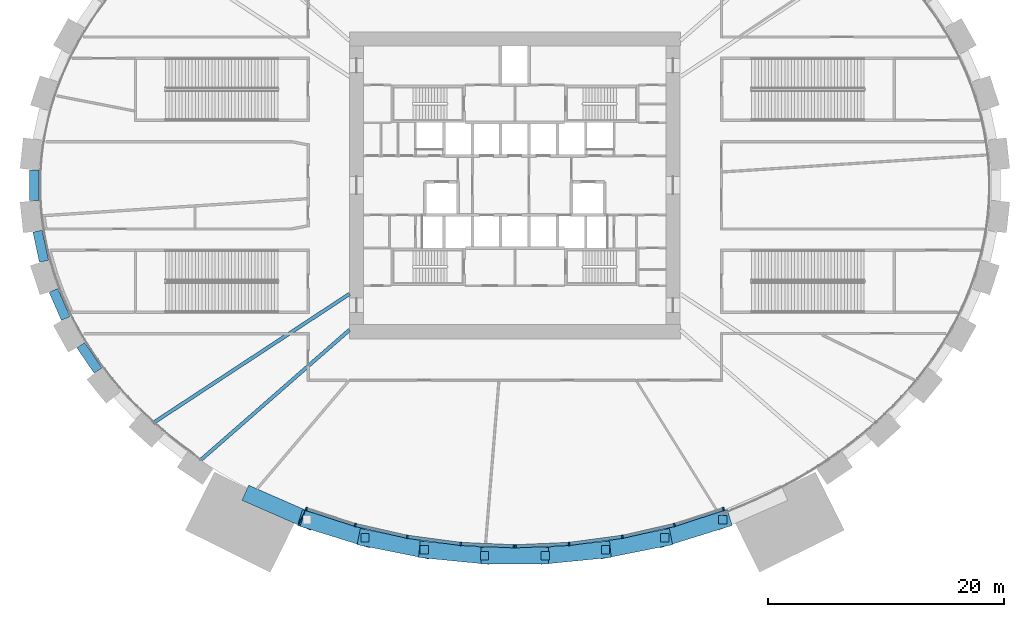
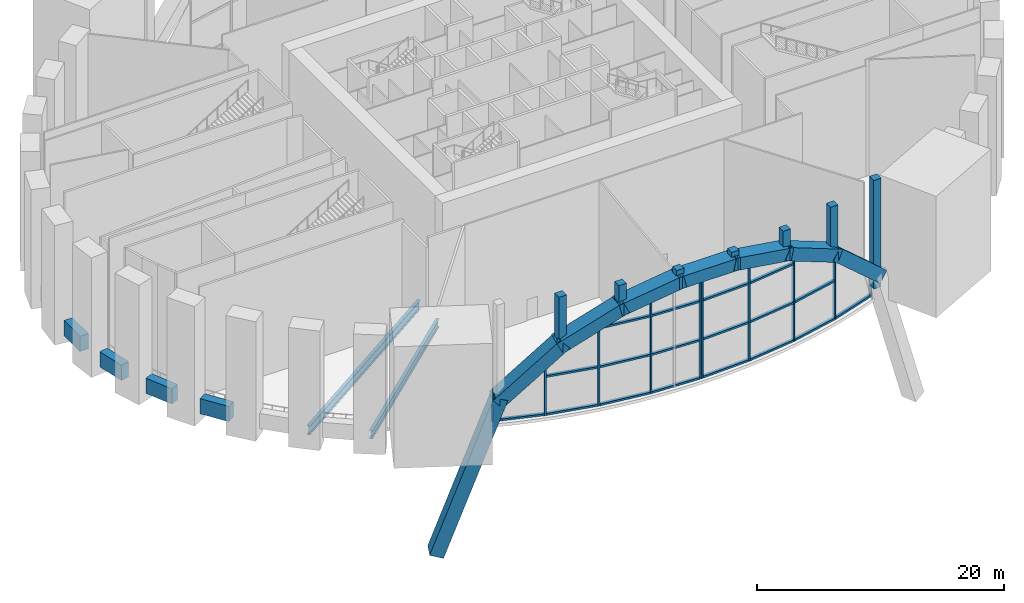
# One storey, part 2 of 21: 43 members, 6 beams, 2 elements without a shape of their own.
"""IFC4 building model written with IfcOpenShell, lengths in metres."""

from ifc_helpers import new_model, si_unit, direction, frame, origin, origin_2d, place, context, subcontext, project, spatial, rectangle, i_section, extrude, source, transform, mapped, material, material_profile, profile_set, type_object, element, aggregate, save


model = new_model("IFC4")

# Units and contexts
model_context = context("Model", 3, precision=1e-05, world=origin(), true_north=direction((0.0, 1.0)))
body_context = subcontext(model_context, "Body", "Model", "MODEL_VIEW")
ifc_project = project(units=[si_unit("LENGTHUNIT", "METRE"), si_unit("AREAUNIT", "SQUARE_METRE"), si_unit("VOLUMEUNIT", "CUBIC_METRE"), si_unit("PLANEANGLEUNIT", "RADIAN"), si_unit("MASSUNIT", "GRAM", prefix="KILO")], contexts=[model_context])

# Site, building, storey
site_placement = place(None, origin())
site = spatial("IfcSite", under=ifc_project, at=site_placement, CompositionType="ELEMENT")
building_placement = place(site_placement, origin())
building = spatial("IfcBuilding", under=site, at=building_placement, Name="Embergate Tower", CompositionType="ELEMENT")
storey_placement = place(building_placement, frame((0.0, 0.0, 12.0)))
storey = spatial("IfcBuildingStorey", under=building, at=storey_placement, Name="L01", CompositionType="ELEMENT", Elevation=12.0)

# Beams
ifc_material_1 = material(Name="Concrete C70", Category="concrete")
ifc_material_profile_1 = material_profile(ifc_material_1, rectangle(XDim=0.800048828125, YDim=1.5, at=origin_2d()), Name="RC 800x1500")
ifc_profile_set_1 = profile_set([ifc_material_profile_1], Name="Concrete C70")
beam_type_1 = type_object("IfcBeamType", Name="Spandrel beam RC 800x1500 C70", PredefinedType="BEAM", material=ifc_profile_set_1)
shared_shape_1 = source(origin(), body_context, "Body", "SweptSolid", [
    extrude(rectangle(XDim=0.800048828125, YDim=1.5, at=origin_2d()), origin(), (0.0, 0.0, 1.0), 2.59716796875),
])
beam_1_placement = place(storey_placement, frame((-40.407958984375, -3.885009765625, 0.0), z_axis=(0.210196709523, -0.977659114061, 0.0), x_axis=(0.977659114061, 0.210196709523, 0.0)))
element("IfcBeam", 1, at=beam_1_placement, inside=storey, type_object=beam_type_1, Name="SPN-L01-22", PredefinedType="BEAM", context=body_context, shape_type="MappedRepresentation", body=[
    mapped(shared_shape_1, transform((0.0, 0.0, 0.0))),
])
shared_shape_2 = source(origin(), body_context, "Body", "SweptSolid", [
    extrude(rectangle(XDim=0.800048828125, YDim=1.5, at=origin_2d()), origin(), (0.0, 0.0, 1.0), 2.594482421875),
])
beam_2_placement = place(storey_placement, frame((-39.06201171875, -8.89794921875, 0.0), z_axis=(0.401628265127, -0.915802782618, 0.0), x_axis=(0.915802782618, 0.401628265127, 0.0)))
element("IfcBeam", 2, at=beam_2_placement, inside=storey, type_object=beam_type_1, Name="SPN-L01-23", PredefinedType="BEAM", context=body_context, shape_type="MappedRepresentation", body=[
    mapped(shared_shape_2, transform((0.0, 0.0, 0.0))),
])
shared_shape_3 = source(origin(), body_context, "Body", "SweptSolid", [
    extrude(rectangle(XDim=0.800048828125, YDim=1.5, at=origin_2d()), origin(), (0.0, 0.0, 1.0), 2.583251953125),
])
beam_3_placement = place(storey_placement, frame((-36.743896484375, -13.5390625, 0.0), z_axis=(0.562418587306, -0.826852666836, 0.0), x_axis=(0.826852666836, 0.562418587306, 0.0)))
element("IfcBeam", 3, at=beam_3_placement, inside=storey, type_object=beam_type_1, Name="SPN-L01-24", PredefinedType="BEAM", context=body_context, shape_type="MappedRepresentation", body=[
    mapped(shared_shape_3, transform((0.0, 0.0, 0.0))),
])
shared_shape_4 = source(origin(), body_context, "Body", "SweptSolid", [
    extrude(rectangle(XDim=0.800048828125, YDim=1.5, at=origin_2d()), origin(), (0.0, 0.0, 1.0), 2.60400390625),
])
beam_4_placement = place(storey_placement, frame((-40.7041015625, 1.302001953125, 0.0), z_axis=(0.0, -1.0, 0.0), x_axis=(1.0, 0.0, 0.0)))
element("IfcBeam", 4, at=beam_4_placement, inside=storey, type_object=beam_type_1, Name="SPN-L01-21", PredefinedType="BEAM", context=body_context, shape_type="MappedRepresentation", body=[
    mapped(shared_shape_4, transform((0.0, 0.0, 0.0))),
])
ifc_material_2 = material(Name="Steel Q355B", Category="steel")
ifc_material_profile_2 = material_profile(ifc_material_2, i_section(OverallWidth=0.300048828125, OverallDepth=0.89990234375, WebThickness=0.01611328125, FlangeThickness=0.028076171875, FilletRadius=0.028076171875, at=origin_2d()), Name="HN 900x300x16x28")
ifc_profile_set_2 = profile_set([ifc_material_profile_2], Name="Steel Q355 grade B")
beam_type_2 = type_object("IfcBeamType", Name="Radial girder HN 900x300x16x28", PredefinedType="BEAM", material=ifc_profile_set_2)
shared_shape_5 = source(origin(), body_context, "Body", "SweptSolid", [
    extrude(i_section(OverallWidth=0.300048828125, OverallDepth=0.89990234375, WebThickness=0.01611328125, FlangeThickness=0.028076171875, FilletRadius=0.028076171875, at=origin_2d()), origin(), (0.0, 0.0, 1.0), 19.915283203125),
])
beam_5_placement = place(storey_placement, frame((-30.64404296875, -20.134033203125, -0.75), z_axis=(0.835739557049, 0.549126026322, 0.0), x_axis=(-0.549126026322, 0.835739557049, 0.0)))
element("IfcBeam", 5, at=beam_5_placement, inside=storey, type_object=beam_type_2, Name="GIR-L01-26", PredefinedType="BEAM", context=body_context, shape_type="MappedRepresentation", body=[
    mapped(shared_shape_5, transform((0.0, 0.0, 0.0))),
])
ifc_material_profile_3 = material_profile(ifc_material_2, i_section(OverallWidth=0.300048828125, OverallDepth=0.800048828125, WebThickness=0.013916015625, FlangeThickness=0.02587890625, FilletRadius=0.028076171875, at=origin_2d()), Name="HN 800x300x14x26")
ifc_profile_set_3 = profile_set([ifc_material_profile_3], Name="Steel Q355 grade B")
beam_type_3 = type_object("IfcBeamType", Name="Radial girder HN 800x300x14x26", PredefinedType="BEAM", material=ifc_profile_set_3)
shared_shape_6 = source(origin(), body_context, "Body", "SweptSolid", [
    extrude(i_section(OverallWidth=0.300048828125, OverallDepth=0.800048828125, WebThickness=0.013916015625, FlangeThickness=0.02587890625, FilletRadius=0.028076171875, at=origin_2d()), origin(), (0.0, 0.0, 1.0), 16.760498046875),
])
beam_6_placement = place(storey_placement, frame((-26.616943359375, -23.27587890625, -0.699951171875), z_axis=(0.752779686922, 0.658272544587, 0.0), x_axis=(-0.658272544587, 0.752779686922, 0.0)))
element("IfcBeam", 6, at=beam_6_placement, inside=storey, type_object=beam_type_3, Name="GIR-L01-27", PredefinedType="BEAM", context=body_context, shape_type="MappedRepresentation", body=[
    mapped(shared_shape_6, transform((0.0, 0.0, 0.0))),
])

# Members
ifc_material_profile_4 = material_profile(ifc_material_1, rectangle(XDim=1.39990234375, YDim=1.199951171875, at=origin_2d()), Name="RC 1400x1200")
ifc_profile_set_4 = profile_set([ifc_material_profile_4], Name="Concrete C70")
member_type_1 = type_object("IfcMemberType", Name="Arch rib RC 1400x1200", PredefinedType="MEMBER", material=ifc_profile_set_4)
shared_shape_7 = source(origin(), body_context, "Body", "SweptSolid", [
    extrude(rectangle(XDim=1.39990234375, YDim=1.199951171875, at=origin_2d()), origin(), (0.0, 0.0, 1.0), 16.034912109375),
])
member_1_placement = place(storey_placement, frame((-22.297119140625, -26.256103515625, -12.0), z_axis=(0.299167367821, -0.1308333855, 0.945188611479), x_axis=(0.400684293132, 0.916216184772, 0.0)))
element("IfcMember", 7, at=member_1_placement, inside=storey, type_object=member_type_1, Name="TRF-S-RB00", PredefinedType="MEMBER", context=body_context, shape_type="MappedRepresentation", body=[
    mapped(shared_shape_7, transform((0.0, 0.0, 0.0))),
])
shared_shape_8 = source(origin(), body_context, "Body", "SweptSolid", [
    extrude(rectangle(XDim=1.39990234375, YDim=1.199951171875, at=origin_2d()), origin(), (0.0, 0.0, 1.0), 7.5419921875),
])
for number, where, z_axis, x_axis, name in (
    (8, (-17.802001953125, -28.2490234375, 2.669921875), (0.705789108189, -0.219832767679, 0.673450286968), (0.297379732721, 0.95475928619, 0.0), "TRF-S-RB01"),
    (9, (12.47900390625, -29.906982421875, 7.7490234375), (0.705789108189, 0.219832767679, -0.673450286968), (-0.297379732721, 0.95475928619, 0.0), "TRF-S-RB07"),
):
    element("IfcMember", number, at=place(storey_placement, frame(where, z_axis=z_axis, x_axis=x_axis)), inside=storey, type_object=member_type_1, Name=name, PredefinedType="MEMBER", context=body_context, shape_type="MappedRepresentation", body=[
        mapped(shared_shape_8, transform((0.0, 0.0, 0.0))),
    ])
shared_shape_9 = source(origin(), body_context, "Body", "SweptSolid", [
    extrude(rectangle(XDim=1.39990234375, YDim=1.199951171875, at=origin_2d()), origin(), (0.0, 0.0, 1.0), 6.31396484375),
])
for number, where, z_axis, x_axis, name in (
    (10, (-12.955078125, -29.7880859375, 7.4150390625), (0.879962468188, -0.176433286859, 0.441063884112), (0.196588369895, 0.980486110469, 0.0), "TRF-S-RB02"),
    (11, (7.39892578125, -30.902099609375, 10.199951171875), (0.879962468188, 0.176433286859, -0.441063884112), (-0.196588369895, 0.980486110469, 0.0), "TRF-S-RB06"),
):
    element("IfcMember", number, at=place(storey_placement, frame(where, z_axis=z_axis, x_axis=x_axis)), inside=storey, type_object=member_type_1, Name=name, PredefinedType="MEMBER", context=body_context, shape_type="MappedRepresentation", body=[
        mapped(shared_shape_9, transform((0.0, 0.0, 0.0))),
    ])
shared_shape_10 = source(origin(), body_context, "Body", "SweptSolid", [
    extrude(rectangle(XDim=1.39990234375, YDim=1.199951171875, at=origin_2d()), origin(), (0.0, 0.0, 1.0), 5.850830078125),
])
for number, where, z_axis, x_axis, name in (
    (12, (-7.9541015625, -30.820068359375, 10.0029296875), (0.971314978913, -0.095512500504, 0.217771839288), (0.097861198033, 0.995200073312, 0.0), "TRF-S-RB03"),
    (13, (2.27099609375, -31.37890625, 11.277099609375), (0.971314978913, 0.095512500504, -0.217771839288), (-0.097861198033, 0.995200073312, 0.0), "TRF-S-RB05"),
):
    element("IfcMember", number, at=place(storey_placement, frame(where, z_axis=z_axis, x_axis=x_axis)), inside=storey, type_object=member_type_1, Name=name, PredefinedType="MEMBER", context=body_context, shape_type="MappedRepresentation", body=[
        mapped(shared_shape_10, transform((0.0, 0.0, 0.0))),
    ])
shared_shape_11 = source(origin(), body_context, "Body", "SweptSolid", [
    extrude(rectangle(XDim=1.39990234375, YDim=1.199951171875, at=origin_2d()), origin(), (0.0, 0.0, 1.0), 5.72412109375),
])
member_2_placement = place(storey_placement, frame((-2.862060546875, -31.35009765625, 11.2119140625), z_axis=(1.0, 0.0, 0.0), x_axis=(0.0, 1.0, 0.0)))
element("IfcMember", 14, at=member_2_placement, inside=storey, type_object=member_type_1, Name="TRF-S-RB04", PredefinedType="MEMBER", context=body_context, shape_type="MappedRepresentation", body=[
    mapped(shared_shape_11, transform((0.0, 0.0, 0.0))),
])
ifc_material_profile_5 = material_profile(ifc_material_1, rectangle(XDim=0.699951171875, YDim=0.699951171875, at=origin_2d()), Name="RC 700x700")
ifc_profile_set_5 = profile_set([ifc_material_profile_5], Name="Concrete C70")
member_type_2 = type_object("IfcMemberType", Name="Arch spandrel strut RC 700x700", PredefinedType="STRUT", material=ifc_profile_set_5)
shared_shape_12 = source(origin(), body_context, "Body", "SweptSolid", [
    extrude(rectangle(XDim=0.699951171875, YDim=0.699951171875, at=origin_2d()), origin(), (0.0, 0.0, 1.0), 10.719970703125),
])
member_3_placement = place(storey_placement, frame((17.590087890625, -28.31494140625, 1.580078125), z_axis=(0.0, 0.0, 1.0), x_axis=(1.0, 0.0, 0.0)))
element("IfcMember", 15, at=member_3_placement, inside=storey, type_object=member_type_2, Name="TRF-S-ST16", PredefinedType="STRUT", context=body_context, shape_type="MappedRepresentation", body=[
    mapped(shared_shape_12, transform((0.0, 0.0, 0.0))),
])
shared_shape_13 = source(origin(), body_context, "Body", "SweptSolid", [
    extrude(rectangle(XDim=0.699951171875, YDim=0.699951171875, at=origin_2d()), origin(), (0.0, 0.0, 1.0), 5.486083984375),
])
for number, where, z_axis, x_axis, name in (
    (16, (-12.69091796875, -29.841064453125, 6.81396484375), (0.0, 0.0, 1.0), (1.0, 0.0, 0.0), "TRF-S-ST04"),
    (17, (12.69091796875, -29.841064453125, 6.81396484375), (0.0, 0.0, 1.0), (1.0, 0.0, 0.0), "TRF-S-ST14"),
):
    element("IfcMember", number, at=place(storey_placement, frame(where, z_axis=z_axis, x_axis=x_axis)), inside=storey, type_object=member_type_2, Name=name, PredefinedType="STRUT", context=body_context, shape_type="MappedRepresentation", body=[
        mapped(shared_shape_13, transform((0.0, 0.0, 0.0))),
    ])
shared_shape_14 = source(origin(), body_context, "Body", "SweptSolid", [
    extrude(rectangle(XDim=0.699951171875, YDim=0.699951171875, at=origin_2d()), origin(), (0.0, 0.0, 1.0), 2.869140625),
])
for number, where, z_axis, x_axis, name in (
    (18, (-7.6630859375, -30.84912109375, 9.430908203125), (0.0, 0.0, 1.0), (1.0, 0.0, 0.0), "TRF-S-ST06"),
    (19, (7.6630859375, -30.84912109375, 9.430908203125), (0.0, 0.0, 1.0), (1.0, 0.0, 0.0), "TRF-S-ST12"),
):
    element("IfcMember", number, at=place(storey_placement, frame(where, z_axis=z_axis, x_axis=x_axis)), inside=storey, type_object=member_type_2, Name=name, PredefinedType="STRUT", context=body_context, shape_type="MappedRepresentation", body=[
        mapped(shared_shape_14, transform((0.0, 0.0, 0.0))),
    ])
shared_shape_15 = source(origin(), body_context, "Body", "SweptSolid", [
    extrude(rectangle(XDim=0.699951171875, YDim=0.699951171875, at=origin_2d()), origin(), (0.0, 0.0, 1.0), 1.692138671875),
])
for number, where, z_axis, x_axis, name in (
    (20, (-2.56201171875, -31.35009765625, 10.60791015625), (0.0, 0.0, 1.0), (1.0, 0.0, 0.0), "TRF-S-ST08"),
    (21, (2.56201171875, -31.35009765625, 10.60791015625), (0.0, 0.0, 1.0), (1.0, 0.0, 0.0), "TRF-S-ST10"),
):
    element("IfcMember", number, at=place(storey_placement, frame(where, z_axis=z_axis, x_axis=x_axis)), inside=storey, type_object=member_type_2, Name=name, PredefinedType="STRUT", context=body_context, shape_type="MappedRepresentation", body=[
        mapped(shared_shape_15, transform((0.0, 0.0, 0.0))),
    ])

# Curtain wall, member
ifc_material_3 = material(Name="Aluminium and glass", Category="aluminium")
curtain_wall_type = type_object("IfcCurtainWallType", Name="Portal infill glazing", PredefinedType="NOTDEFINED", material=ifc_material_3)
curtain_wall_1_placement = place(storey_placement, origin())
curtain_wall_1 = element("IfcCurtainWall", 22, at=curtain_wall_1_placement, inside=storey, type_object=curtain_wall_type, Name="Portal infill glazing S 1", ObjectType="PORTAL INFILL GLAZING", PredefinedType="USERDEFINED")
ifc_material_4 = material(Name="Aluminium, thermally broken", Category="aluminium")
ifc_material_profile_6 = material_profile(ifc_material_4, rectangle(XDim=0.280029296875, YDim=0.139892578125, at=origin_2d()), Name="AL 140x280")
ifc_profile_set_6 = profile_set([ifc_material_profile_6], Name="Aluminium, thermally broken")
member_type_3 = type_object("IfcMemberType", Name="Portal mullion", PredefinedType="MULLION", material=ifc_profile_set_6)
shared_shape_16 = source(origin(), body_context, "Body", "SweptSolid", [
    extrude(rectangle(XDim=0.280029296875, YDim=0.139892578125, at=origin_2d()), origin(), (0.0, 0.0, 1.0), 1.64892578125),
])
member_4_placement = place(storey_placement, frame((-17.658447265625, -27.391845703125, 0.0), z_axis=(0.0, 0.0, 1.0), x_axis=(0.311044696067, 0.950395284631, 0.0)))
member_4 = element("IfcMember", 23, at=member_4_placement, type_object=member_type_3, Name="CW mullion 1", PredefinedType="MULLION", context=body_context, shape_type="MappedRepresentation", body=[
    mapped(shared_shape_16, transform((0.0, 0.0, 0.0))),
])

curtain_wall_2_placement = place(storey_placement, origin())
curtain_wall_2 = element("IfcCurtainWall", 24, at=curtain_wall_2_placement, inside=storey, type_object=curtain_wall_type, Name="Portal infill glazing S 2", ObjectType="PORTAL INFILL GLAZING", PredefinedType="USERDEFINED")
member_5_placement = place(storey_placement, frame((17.658447265625, -27.391845703125, 0.0), z_axis=(0.0, 0.0, 1.0), x_axis=(-0.311044696067, 0.950395284631, 0.0)))
member_5 = element("IfcMember", 25, at=member_5_placement, type_object=member_type_3, Name="CW mullion 5", PredefinedType="MULLION", context=body_context, shape_type="MappedRepresentation", body=[
    mapped(shared_shape_16, transform((0.0, 0.0, 0.0))),
])

# Member
shared_shape_17 = source(origin(), body_context, "Body", "SweptSolid", [
    extrude(rectangle(XDim=0.280029296875, YDim=0.139892578125, at=origin_2d()), origin(), (0.0, 0.0, 1.0), 6.008544921875),
])
member_6_placement = place(storey_placement, frame((-13.504638671875, -28.751220703125, 0.0), z_axis=(0.0, 0.0, 1.0), x_axis=(0.265924601476, 0.963993831064, 0.0)))
member_6 = element("IfcMember", 26, at=member_6_placement, type_object=member_type_3, Name="CW mullion 2", PredefinedType="MULLION", context=body_context, shape_type="MappedRepresentation", body=[
    mapped(shared_shape_17, transform((0.0, 0.0, 0.0))),
])

member_7_placement = place(storey_placement, frame((13.504638671875, -28.751220703125, 0.0), z_axis=(0.0, 0.0, 1.0), x_axis=(-0.265924601476, 0.963993831064, 0.0)))
member_7 = element("IfcMember", 27, at=member_7_placement, type_object=member_type_3, Name="CW mullion 4", PredefinedType="MULLION", context=body_context, shape_type="MappedRepresentation", body=[
    mapped(shared_shape_17, transform((0.0, 0.0, 0.0))),
])

shared_shape_18 = source(origin(), body_context, "Body", "SweptSolid", [
    extrude(rectangle(XDim=0.280029296875, YDim=0.139892578125, at=origin_2d()), origin(), (0.0, 0.0, 1.0), 8.706787109375),
])
member_8_placement = place(storey_placement, frame((-9.104248046875, -29.751708984375, 0.0), z_axis=(0.0, 0.0, 1.0), x_axis=(0.177146578804, 0.984184479464, 0.0)))
member_8 = element("IfcMember", 28, at=member_8_placement, type_object=member_type_3, Name="CW mullion 3", PredefinedType="MULLION", context=body_context, shape_type="MappedRepresentation", body=[
    mapped(shared_shape_18, transform((0.0, 0.0, 0.0))),
])

member_9_placement = place(storey_placement, frame((9.104248046875, -29.751708984375, 0.0), z_axis=(0.0, 0.0, 1.0), x_axis=(-0.177146578804, 0.984184479464, 0.0)))
member_9 = element("IfcMember", 29, at=member_9_placement, type_object=member_type_3, Name="CW mullion 3", PredefinedType="MULLION", context=body_context, shape_type="MappedRepresentation", body=[
    mapped(shared_shape_18, transform((0.0, 0.0, 0.0))),
])

shared_shape_19 = source(origin(), body_context, "Body", "SweptSolid", [
    extrude(rectangle(XDim=0.280029296875, YDim=0.139892578125, at=origin_2d()), origin(), (0.0, 0.0, 1.0), 10.143310546875),
])
member_10_placement = place(storey_placement, frame((-4.582763671875, -30.357177734375, 0.0), z_axis=(0.0, 0.0, 1.0), x_axis=(0.088789991203, 0.996050368938, 0.0)))
member_10 = element("IfcMember", 30, at=member_10_placement, type_object=member_type_3, Name="CW mullion 4", PredefinedType="MULLION", context=body_context, shape_type="MappedRepresentation", body=[
    mapped(shared_shape_19, transform((0.0, 0.0, 0.0))),
])

member_11_placement = place(storey_placement, frame((4.582763671875, -30.357177734375, 0.0), z_axis=(0.0, 0.0, 1.0), x_axis=(-0.088789991203, 0.996050368938, 0.0)))
member_11 = element("IfcMember", 31, at=member_11_placement, type_object=member_type_3, Name="CW mullion 2", PredefinedType="MULLION", context=body_context, shape_type="MappedRepresentation", body=[
    mapped(shared_shape_19, transform((0.0, 0.0, 0.0))),
])

shared_shape_20 = source(origin(), body_context, "Body", "SweptSolid", [
    extrude(rectangle(XDim=0.280029296875, YDim=0.139892578125, at=origin_2d()), origin(), (0.0, 0.0, 1.0), 10.614990234375),
])
member_12_placement = place(storey_placement, frame((-0.06982421875, -30.556884765625, 0.0), z_axis=(0.0, 0.0, 1.0), x_axis=(0.044210483177, 0.99902223858, 0.0)))
member_12 = element("IfcMember", 32, at=member_12_placement, type_object=member_type_3, Name="CW mullion 5", PredefinedType="MULLION", context=body_context, shape_type="MappedRepresentation", body=[
    mapped(shared_shape_20, transform((0.0, 0.0, 0.0))),
])

member_13_placement = place(storey_placement, frame((0.06982421875, -30.556884765625, 0.0), z_axis=(0.0, 0.0, 1.0), x_axis=(-0.044210483177, 0.99902223858, 0.0)))
member_13 = element("IfcMember", 33, at=member_13_placement, type_object=member_type_3, Name="CW mullion 1", PredefinedType="MULLION", context=body_context, shape_type="MappedRepresentation", body=[
    mapped(shared_shape_20, transform((0.0, 0.0, 0.0))),
])

ifc_material_profile_7 = material_profile(ifc_material_4, rectangle(XDim=0.280029296875, YDim=0.179931640625, at=origin_2d()), Name="AL 180x280")
ifc_profile_set_7 = profile_set([ifc_material_profile_7], Name="Aluminium, thermally broken")
member_type_4 = type_object("IfcMemberType", Name="Portal transom", PredefinedType="USERDEFINED", material=ifc_profile_set_7)
shared_shape_21 = source(origin(), body_context, "Body", "SweptSolid", [
    extrude(rectangle(XDim=0.280029296875, YDim=0.179931640625, at=origin_2d()), origin(), (0.0, 0.0, 1.0), 4.230712890625),
])
member_14_placement = place(storey_placement, frame((-17.591796875, -27.41357421875, 0.090087890625), z_axis=(0.950394647687, -0.311046642239, 0.0), x_axis=(0.311046642239, 0.950394647687, 0.0)))
member_14 = element("IfcMember", 34, at=member_14_placement, type_object=member_type_4, Name="CW transom 1.1", ObjectType="TRANSOM", PredefinedType="USERDEFINED", context=body_context, shape_type="MappedRepresentation", body=[
    mapped(shared_shape_21, transform((0.0, 0.0, 0.0))),
])

member_15_placement = place(storey_placement, frame((13.571044921875, -28.7294921875, 0.090087890625), z_axis=(0.950394647687, 0.311046642239, 0.0), x_axis=(-0.311046642239, 0.950394647687, 0.0)))
member_15 = element("IfcMember", 35, at=member_15_placement, type_object=member_type_4, Name="CW transom 4.1", ObjectType="TRANSOM", PredefinedType="USERDEFINED", context=body_context, shape_type="MappedRepresentation", body=[
    mapped(shared_shape_21, transform((0.0, 0.0, 0.0))),
])

shared_shape_22 = source(origin(), body_context, "Body", "SweptSolid", [
    extrude(rectangle(XDim=0.280029296875, YDim=0.179931640625, at=origin_2d()), origin(), (0.0, 0.0, 1.0), 4.37255859375),
])
member_16_placement = place(storey_placement, frame((-13.436279296875, -28.766845703125, 0.090087890625), z_axis=(0.97512188483, -0.221669370292, 0.0), x_axis=(0.221669370292, 0.97512188483, 0.0)))
member_16 = element("IfcMember", 36, at=member_16_placement, type_object=member_type_4, Name="CW transom 2.1", ObjectType="TRANSOM", PredefinedType="USERDEFINED", context=body_context, shape_type="MappedRepresentation", body=[
    mapped(shared_shape_22, transform((0.0, 0.0, 0.0))),
])

member_17_placement = place(storey_placement, frame((-13.436279296875, -28.766845703125, 3.833251953125), z_axis=(0.97512188483, -0.221669370292, 0.0), x_axis=(0.221669370292, 0.97512188483, 0.0)))
member_17 = element("IfcMember", 37, at=member_17_placement, type_object=member_type_4, Name="CW transom 2.2", ObjectType="TRANSOM", PredefinedType="USERDEFINED", context=body_context, shape_type="MappedRepresentation", body=[
    mapped(shared_shape_22, transform((0.0, 0.0, 0.0))),
])

member_18_placement = place(storey_placement, frame((9.172607421875, -29.736083984375, 0.090087890625), z_axis=(0.97512188483, 0.221669370292, 0.0), x_axis=(-0.221669370292, 0.97512188483, 0.0)))
member_18 = element("IfcMember", 38, at=member_18_placement, type_object=member_type_4, Name="CW transom 3.1", ObjectType="TRANSOM", PredefinedType="USERDEFINED", context=body_context, shape_type="MappedRepresentation", body=[
    mapped(shared_shape_22, transform((0.0, 0.0, 0.0))),
])

member_19_placement = place(storey_placement, frame((9.172607421875, -29.736083984375, 3.833251953125), z_axis=(0.97512188483, 0.221669370292, 0.0), x_axis=(-0.221669370292, 0.97512188483, 0.0)))
member_19 = element("IfcMember", 39, at=member_19_placement, type_object=member_type_4, Name="CW transom 3.2", ObjectType="TRANSOM", PredefinedType="USERDEFINED", context=body_context, shape_type="MappedRepresentation", body=[
    mapped(shared_shape_22, transform((0.0, 0.0, 0.0))),
])

shared_shape_23 = source(origin(), body_context, "Body", "SweptSolid", [
    extrude(rectangle(XDim=0.280029296875, YDim=0.179931640625, at=origin_2d()), origin(), (0.0, 0.0, 1.0), 4.421875),
])
member_20_placement = place(storey_placement, frame((-9.034912109375, -29.7607421875, 0.090087890625), z_axis=(0.991145253137, -0.132782104155, 0.0), x_axis=(0.132782104155, 0.991145253137, 0.0)))
member_20 = element("IfcMember", 40, at=member_20_placement, type_object=member_type_4, Name="CW transom 3.1", ObjectType="TRANSOM", PredefinedType="USERDEFINED", context=body_context, shape_type="MappedRepresentation", body=[
    mapped(shared_shape_23, transform((0.0, 0.0, 0.0))),
])

member_21_placement = place(storey_placement, frame((-9.034912109375, -29.7607421875, 3.833251953125), z_axis=(0.991145253137, -0.132782104155, 0.0), x_axis=(0.132782104155, 0.991145253137, 0.0)))
member_21 = element("IfcMember", 41, at=member_21_placement, type_object=member_type_4, Name="CW transom 3.2", ObjectType="TRANSOM", PredefinedType="USERDEFINED", context=body_context, shape_type="MappedRepresentation", body=[
    mapped(shared_shape_23, transform((0.0, 0.0, 0.0))),
])

member_22_placement = place(storey_placement, frame((-9.034912109375, -29.7607421875, 7.666748046875), z_axis=(0.991145253137, -0.132782104155, 0.0), x_axis=(0.132782104155, 0.991145253137, 0.0)))
member_22 = element("IfcMember", 42, at=member_22_placement, type_object=member_type_4, Name="CW transom 3.3", ObjectType="TRANSOM", PredefinedType="USERDEFINED", context=body_context, shape_type="MappedRepresentation", body=[
    mapped(shared_shape_23, transform((0.0, 0.0, 0.0))),
])

member_23_placement = place(storey_placement, frame((4.652099609375, -30.347900390625, 0.090087890625), z_axis=(0.991145253137, 0.132782104155, 0.0), x_axis=(-0.132782104155, 0.991145253137, 0.0)))
member_23 = element("IfcMember", 43, at=member_23_placement, type_object=member_type_4, Name="CW transom 2.1", ObjectType="TRANSOM", PredefinedType="USERDEFINED", context=body_context, shape_type="MappedRepresentation", body=[
    mapped(shared_shape_23, transform((0.0, 0.0, 0.0))),
])

member_24_placement = place(storey_placement, frame((4.652099609375, -30.347900390625, 3.833251953125), z_axis=(0.991145253137, 0.132782104155, 0.0), x_axis=(-0.132782104155, 0.991145253137, 0.0)))
member_24 = element("IfcMember", 44, at=member_24_placement, type_object=member_type_4, Name="CW transom 2.2", ObjectType="TRANSOM", PredefinedType="USERDEFINED", context=body_context, shape_type="MappedRepresentation", body=[
    mapped(shared_shape_23, transform((0.0, 0.0, 0.0))),
])

member_25_placement = place(storey_placement, frame((4.652099609375, -30.347900390625, 7.666748046875), z_axis=(0.991145253137, 0.132782104155, 0.0), x_axis=(-0.132782104155, 0.991145253137, 0.0)))
member_25 = element("IfcMember", 45, at=member_25_placement, type_object=member_type_4, Name="CW transom 2.3", ObjectType="TRANSOM", PredefinedType="USERDEFINED", context=body_context, shape_type="MappedRepresentation", body=[
    mapped(shared_shape_23, transform((0.0, 0.0, 0.0))),
])

shared_shape_24 = source(origin(), body_context, "Body", "SweptSolid", [
    extrude(rectangle(XDim=0.280029296875, YDim=0.179931640625, at=origin_2d()), origin(), (0.0, 0.0, 1.0), 4.377197265625),
])
member_26_placement = place(storey_placement, frame((-4.5126953125, -30.3603515625, 0.090087890625), z_axis=(0.999023787438, -0.044175469804, 0.0), x_axis=(0.044175469804, 0.999023787438, 0.0)))
member_26 = element("IfcMember", 46, at=member_26_placement, type_object=member_type_4, Name="CW transom 4.1", ObjectType="TRANSOM", PredefinedType="USERDEFINED", context=body_context, shape_type="MappedRepresentation", body=[
    mapped(shared_shape_24, transform((0.0, 0.0, 0.0))),
])

member_27_placement = place(storey_placement, frame((-4.5126953125, -30.3603515625, 3.833251953125), z_axis=(0.999023787438, -0.044175469804, 0.0), x_axis=(0.044175469804, 0.999023787438, 0.0)))
member_27 = element("IfcMember", 47, at=member_27_placement, type_object=member_type_4, Name="CW transom 4.2", ObjectType="TRANSOM", PredefinedType="USERDEFINED", context=body_context, shape_type="MappedRepresentation", body=[
    mapped(shared_shape_24, transform((0.0, 0.0, 0.0))),
])

member_28_placement = place(storey_placement, frame((-4.5126953125, -30.3603515625, 7.666748046875), z_axis=(0.999023787438, -0.044175469804, 0.0), x_axis=(0.044175469804, 0.999023787438, 0.0)))
member_28 = element("IfcMember", 48, at=member_28_placement, type_object=member_type_4, Name="CW transom 4.3", ObjectType="TRANSOM", PredefinedType="USERDEFINED", context=body_context, shape_type="MappedRepresentation", body=[
    mapped(shared_shape_24, transform((0.0, 0.0, 0.0))),
])

aggregate(curtain_wall_1, [member_4, member_6, member_8, member_10, member_12, member_14, member_16, member_17, member_20, member_21, member_22, member_26, member_27, member_28])

member_29_placement = place(storey_placement, frame((0.139892578125, -30.5537109375, 0.090087890625), z_axis=(0.999023787438, 0.044175469804, 0.0), x_axis=(-0.044175469804, 0.999023787438, 0.0)))
member_29 = element("IfcMember", 49, at=member_29_placement, type_object=member_type_4, Name="CW transom 1.1", ObjectType="TRANSOM", PredefinedType="USERDEFINED", context=body_context, shape_type="MappedRepresentation", body=[
    mapped(shared_shape_24, transform((0.0, 0.0, 0.0))),
])

member_30_placement = place(storey_placement, frame((0.139892578125, -30.5537109375, 3.833251953125), z_axis=(0.999023787438, 0.044175469804, 0.0), x_axis=(-0.044175469804, 0.999023787438, 0.0)))
member_30 = element("IfcMember", 50, at=member_30_placement, type_object=member_type_4, Name="CW transom 1.2", ObjectType="TRANSOM", PredefinedType="USERDEFINED", context=body_context, shape_type="MappedRepresentation", body=[
    mapped(shared_shape_24, transform((0.0, 0.0, 0.0))),
])

member_31_placement = place(storey_placement, frame((0.139892578125, -30.5537109375, 7.666748046875), z_axis=(0.999023787438, 0.044175469804, 0.0), x_axis=(-0.044175469804, 0.999023787438, 0.0)))
member_31 = element("IfcMember", 51, at=member_31_placement, type_object=member_type_4, Name="CW transom 1.3", ObjectType="TRANSOM", PredefinedType="USERDEFINED", context=body_context, shape_type="MappedRepresentation", body=[
    mapped(shared_shape_24, transform((0.0, 0.0, 0.0))),
])

aggregate(curtain_wall_2, [member_13, member_11, member_9, member_7, member_5, member_29, member_30, member_31, member_23, member_24, member_25, member_18, member_19, member_15])

save(model, "model.ifc")
